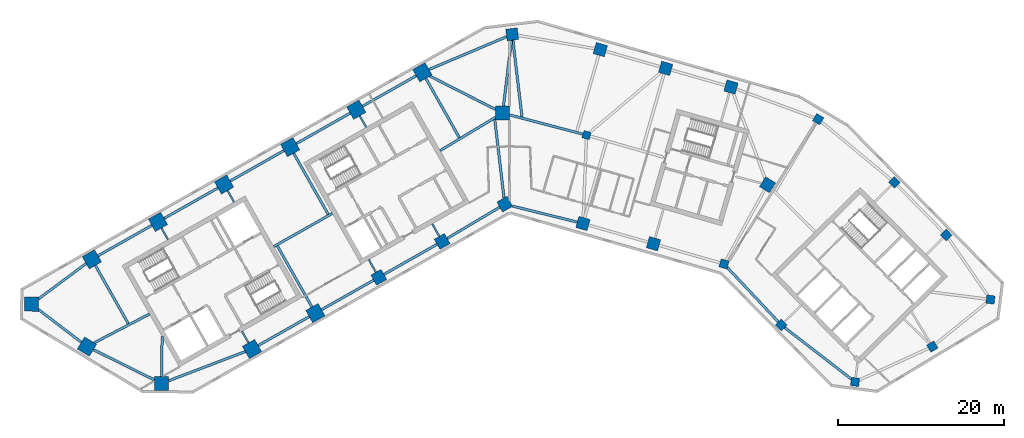
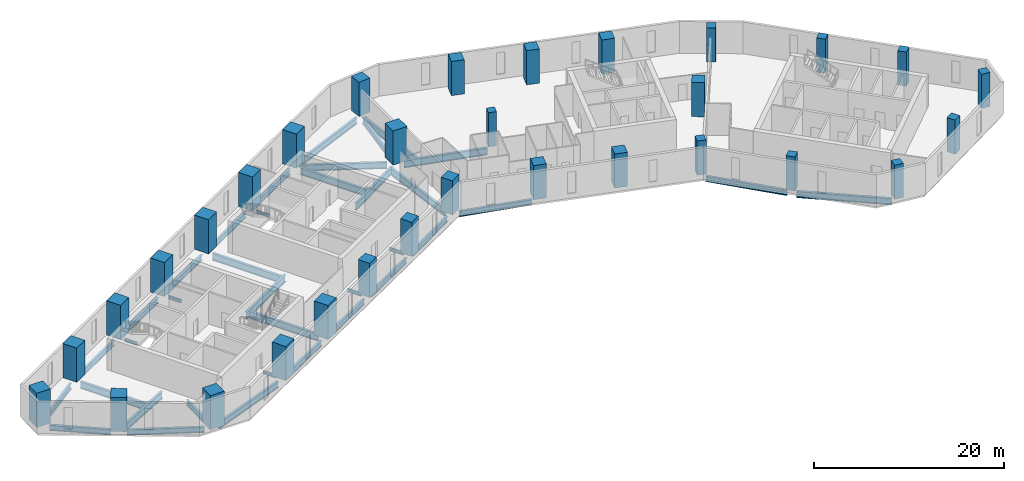
# One storey, part 1 of 10: 36 beams, 31 columns.
"""IFC4 building model written with IfcOpenShell, lengths in metres."""

from ifc_helpers import new_model, si_unit, direction, frame, origin, origin_2d, place, context, subcontext, project, spatial, rectangle, i_section, extrude, material, material_profile, profile_set, type_object, element, save


model = new_model("IFC4")

# Units and contexts
model_context = context("Model", 3, precision=1e-05, world=origin(), true_north=direction((0.0, 1.0)))
body_context = subcontext(model_context, "Body", "Model", "MODEL_VIEW")
ifc_project = project(units=[si_unit("LENGTHUNIT", "METRE"), si_unit("AREAUNIT", "SQUARE_METRE"), si_unit("VOLUMEUNIT", "CUBIC_METRE"), si_unit("PLANEANGLEUNIT", "RADIAN"), si_unit("MASSUNIT", "GRAM", prefix="KILO")], contexts=[model_context])

# Site, building, storey
site_placement = place(None, origin())
site = spatial("IfcSite", under=ifc_project, at=site_placement, CompositionType="ELEMENT")
building_placement = place(site_placement, origin())
building = spatial("IfcBuilding", under=site, at=building_placement, Name="Binnacle Exchange Tower", CompositionType="ELEMENT")
storey_placement = place(building_placement, frame((0.0, 0.0, 127.89990234375)))
storey = spatial("IfcBuildingStorey", under=building, at=storey_placement, Name="L26", CompositionType="ELEMENT", Elevation=127.89990234375)

# Columns
ifc_material_1 = material(Name="Concrete C60/75", Category="concrete")
ifc_material_profile_1 = material_profile(ifc_material_1, rectangle(XDim=0.89990234375, YDim=0.89990234375, at=origin_2d()), Name="Column 900x900 C60/75")
ifc_profile_set_1 = profile_set([ifc_material_profile_1], Name="Concrete C60/75")
column_type_1 = type_object("IfcColumnType", Name="Column 900x900 C60/75", PredefinedType="COLUMN", material=ifc_profile_set_1)
column_placement = place(storey_placement, frame((9.240966796875, 57.35009765625, 0.0), z_axis=(0.0, 0.0, 1.0), x_axis=(0.961261695938, -0.275637355817, 0.0)))
element("IfcColumn", 1, at=column_placement, inside=storey, type_object=column_type_1, Name="S:COL:C19:L26", PredefinedType="COLUMN", context=body_context, shape_type="SweptSolid", body=[
    extrude(rectangle(XDim=0.89990234375, YDim=0.89990234375, at=origin_2d()), origin(), (0.0, 0.0, 1.0), 4.400146484375),
])
ifc_material_2 = material(Name="Concrete C70/85", Category="concrete")
ifc_material_profile_2 = material_profile(ifc_material_2, rectangle(XDim=1.0, YDim=1.0, at=origin_2d()), Name="Mega column 1000x1000 C70/85")
ifc_profile_set_2 = profile_set([ifc_material_profile_2], Name="Concrete C70/85")
column_type_2 = type_object("IfcColumnType", Name="Mega column 1000x1000 C70/85", PredefinedType="COLUMN", material=ifc_profile_set_2)
for number, where, z_axis, x_axis, name in (
    (2, (37.0849609375, 59.262451171875, 0.0), (0.0, 0.0, 1.0), (-0.859406411501, 0.511293086077, 0.0), "S:COL:MC57:L26"),
    (3, (25.766845703125, 41.85986328125, 0.0), (0.0, 0.0, 1.0), (0.961261695938, -0.275637355817, 0.0), "S:COL:MC56:L26"),
    (4, (32.64111328125, 34.530029296875, 0.0), (0.0, 0.0, 1.0), (0.7009092643, -0.713250449154, 0.0), "S:COL:MC59:L26"),
    (5, (41.519775390625, 27.6748046875, 0.0), (0.0, 0.0, 1.0), (0.99200494968, -0.126198969136, 0.0), "S:COL:MC61:L26"),
    (6, (50.81201171875, 31.930908203125, 0.0), (0.0, 0.0, 1.0), (0.857167300702, 0.51503807491, 0.0), "S:COL:MC63:L26"),
    (7, (57.799072265625, 37.5810546875, 0.0), (0.0, 0.0, 1.0), (0.126198969136, 0.99200494968, 0.0), "S:COL:MC62:L26"),
    (8, (52.466796875, 45.33935546875, 0.0), (0.0, 0.0, 1.0), (-0.7009092643, 0.713250449154, 0.0), "S:COL:MC60:L26"),
    (9, (46.248291015625, 51.667236328125, 0.0), (0.0, 0.0, 1.0), (-0.7009092643, 0.713250449154, 0.0), "S:COL:MC58:L26"),
):
    element("IfcColumn", number, at=place(storey_placement, frame(where, z_axis=z_axis, x_axis=x_axis)), inside=storey, type_object=column_type_2, Name=name, PredefinedType="COLUMN", context=body_context, shape_type="SweptSolid", body=[
        extrude(rectangle(XDim=1.0, YDim=1.0, at=origin_2d()), origin(), (0.0, 0.0, 1.0), 4.400146484375),
    ])
ifc_material_profile_3 = material_profile(ifc_material_2, rectangle(XDim=1.39990234375, YDim=1.39990234375, at=origin_2d()), Name="Mega column 1400x1400 C70/85")
ifc_profile_set_3 = profile_set([ifc_material_profile_3], Name="Concrete C70/85")
column_type_3 = type_object("IfcColumnType", Name="Mega column 1400x1400 C70/85", PredefinedType="COLUMN", material=ifc_profile_set_3)
for number, where, z_axis, x_axis, name in (
    (10, (26.602783203125, 63.12353515625, 0.0), (0.0, 0.0, 1.0), (-0.961261695938, 0.275637355817, 0.0), "S:COL:MC52:L26"),
    (11, (18.746337890625, 65.376220703125, 0.0), (0.0, 0.0, 1.0), (-0.961261695938, 0.275637355817, 0.0), "S:COL:MC50:L26"),
    (12, (10.889892578125, 67.62890625, 0.0), (0.0, 0.0, 1.0), (-0.961261695938, 0.275637355817, 0.0), "S:COL:MC48:L26"),
    (13, (0.300048828125, 69.464111328125, 0.0), (0.0, 0.0, 1.0), (-0.993068456955, -0.117537397458, 0.0), "S:COL:MC47:L26"),
    (14, (-15.736328125, 40.257080078125, 0.0), (0.0, 0.0, 1.0), (0.87035569594, 0.492423560103, 0.0), "S:COL:MC24:L26"),
    (15, (-8.116943359375, 44.568115234375, 0.0), (0.0, 0.0, 1.0), (0.87035569594, 0.492423560103, 0.0), "S:COL:MC35:L26"),
    (16, (-0.5908203125, 49.04443359375, 0.0), (0.0, 0.0, 1.0), (0.87035569594, 0.492423560103, 0.0), "S:COL:MC46:L26"),
    (17, (8.8095703125, 46.722412109375, 0.0), (0.0, 0.0, 1.0), (0.961261695938, -0.275637355817, 0.0), "S:COL:MC49:L26"),
    (18, (17.2880859375, 44.291015625, 0.0), (0.0, 0.0, 1.0), (0.961261695938, -0.275637355817, 0.0), "S:COL:MC51:L26"),
    (19, (30.989501953125, 51.38623046875, 0.0), (0.0, 0.0, 1.0), (0.529919264233, 0.848048096156, 0.0), "S:COL:MC55:L26"),
):
    element("IfcColumn", number, at=place(storey_placement, frame(where, z_axis=z_axis, x_axis=x_axis)), inside=storey, type_object=column_type_3, Name=name, PredefinedType="COLUMN", context=body_context, shape_type="SweptSolid", body=[
        extrude(rectangle(XDim=1.39990234375, YDim=1.39990234375, at=origin_2d()), origin(), (0.0, 0.0, 1.0), 4.400146484375),
    ])
ifc_material_profile_4 = material_profile(ifc_material_2, rectangle(XDim=1.699951171875, YDim=1.699951171875, at=origin_2d()), Name="Mega column 1700x1700 C70/85")
ifc_profile_set_4 = profile_set([ifc_material_profile_4], Name="Concrete C70/85")
column_type_4 = type_object("IfcColumnType", Name="Mega column 1700x1700 C70/85", PredefinedType="COLUMN", material=ifc_profile_set_4)
for number, where, z_axis, x_axis, name in (
    (20, (-10.4951171875, 64.901611328125, 0.0), (0.0, 0.0, 1.0), (-0.87035569594, -0.492423560103, 0.0), "S:COL:MC38:L26"),
    (21, (-18.44140625, 60.406005859375, 0.0), (0.0, 0.0, 1.0), (-0.87035569594, -0.492423560103, 0.0), "S:COL:MC29:L26"),
    (22, (-26.3876953125, 55.91015625, 0.0), (0.0, 0.0, 1.0), (-0.87035569594, -0.492423560103, 0.0), "S:COL:MC21:L26"),
    (23, (-34.333740234375, 51.414306640625, 0.0), (0.0, 0.0, 1.0), (-0.87035569594, -0.492423560103, 0.0), "S:COL:MC13:L26"),
    (24, (-42.280029296875, 46.918701171875, 0.0), (0.0, 0.0, 1.0), (-0.87035569594, -0.492423560103, 0.0), "S:COL:MC08:L26"),
    (25, (-50.226318359375, 42.4228515625, 0.0), (0.0, 0.0, 1.0), (-0.87035569594, -0.492423560103, 0.0), "S:COL:MC04:L26"),
    (26, (-57.492919921875, 37.02734375, 0.0), (0.0, 0.0, 1.0), (-0.013089595571, -0.999914327574, 0.0), "S:COL:MC02:L26"),
    (27, (-50.81201171875, 31.930908203125, 0.0), (0.0, 0.0, 1.0), (0.857167300702, -0.51503807491, 0.0), "S:COL:MC01:L26"),
    (28, (-41.857666015625, 27.494873046875, 0.0), (0.0, 0.0, 1.0), (0.999914327574, -0.013089595571, 0.0), "S:COL:MC03:L26"),
    (29, (-30.9755859375, 31.63525390625, 0.0), (0.0, 0.0, 1.0), (0.87035569594, 0.492423560103, 0.0), "S:COL:MC07:L26"),
    (30, (-23.35595703125, 35.9462890625, 0.0), (0.0, 0.0, 1.0), (0.87035569594, 0.492423560103, 0.0), "S:COL:MC16:L26"),
    (31, (-0.85009765625, 60.0, 0.0), (0.0, 0.0, 1.0), (0.0, 1.0, 0.0), "S:COL:MC45:L26"),
):
    element("IfcColumn", number, at=place(storey_placement, frame(where, z_axis=z_axis, x_axis=x_axis)), inside=storey, type_object=column_type_4, Name=name, PredefinedType="COLUMN", context=body_context, shape_type="SweptSolid", body=[
        extrude(rectangle(XDim=1.699951171875, YDim=1.699951171875, at=origin_2d()), origin(), (0.0, 0.0, 1.0), 4.400146484375),
    ])

# Beams
ifc_material_3 = material(Name="Steel S355 (SHN355)", Category="steel")
ifc_material_profile_5 = material_profile(ifc_material_3, i_section(OverallWidth=0.300048828125, OverallDepth=0.699951171875, WebThickness=0.012939453125, FlangeThickness=0.02392578125, FilletRadius=0.028076171875, at=origin_2d()), Name="H 700x300x13x24")
ifc_profile_set_5 = profile_set([ifc_material_profile_5], Name="Steel S355 (SHN355)")
beam_type_1 = type_object("IfcBeamType", Name="Edge girder H 700x300x13x24 Steel S355 (SHN355)", PredefinedType="SPANDREL", material=ifc_profile_set_5)
beam_1_placement = place(storey_placement, frame((-56.6513671875, 36.38525390625, -0.669921875), z_axis=(0.795093040263, -0.606487474994, 0.0), x_axis=(0.606487474994, 0.795093040263, 0.0)))
element("IfcBeam", 32, at=beam_1_placement, inside=storey, type_object=beam_type_1, Name="S:BM:edge:L26:015", PredefinedType="SPANDREL", context=body_context, shape_type="SweptSolid", body=[
    extrude(i_section(OverallWidth=0.300048828125, OverallDepth=0.699951171875, WebThickness=0.012939453125, FlangeThickness=0.02392578125, FilletRadius=0.028076171875, at=origin_2d()), origin(), (0.0, 0.0, 1.0), 6.489013671875),
])
beam_2_placement = place(storey_placement, frame((-50.913818359375, 41.912353515625, -0.669921875), z_axis=(-0.80288535334, -0.59613346609, 0.0), x_axis=(0.59613346609, -0.80288535334, 0.0)))
element("IfcBeam", 33, at=beam_2_placement, inside=storey, type_object=beam_type_1, Name="S:BM:edge:L26:016", PredefinedType="SPANDREL", context=body_context, shape_type="SweptSolid", body=[
    extrude(i_section(OverallWidth=0.300048828125, OverallDepth=0.699951171875, WebThickness=0.012939453125, FlangeThickness=0.02392578125, FilletRadius=0.028076171875, at=origin_2d()), origin(), (0.0, 0.0, 1.0), 7.125244140625),
])
beam_3_placement = place(storey_placement, frame((-43.019775390625, 46.5, -0.669921875), z_axis=(-0.870364477798, -0.492408037898, 0.0), x_axis=(0.492408037898, -0.870364477798, 0.0)))
element("IfcBeam", 34, at=beam_3_placement, inside=storey, type_object=beam_type_1, Name="S:BM:edge:L26:018", PredefinedType="SPANDREL", context=body_context, shape_type="SweptSolid", body=[
    extrude(i_section(OverallWidth=0.300048828125, OverallDepth=0.699951171875, WebThickness=0.012939453125, FlangeThickness=0.02392578125, FilletRadius=0.028076171875, at=origin_2d()), origin(), (0.0, 0.0, 1.0), 7.4296875),
])
beam_4_placement = place(storey_placement, frame((-35.073486328125, 50.995849609375, -0.669921875), z_axis=(-0.870372444894, -0.492393955253, 0.0), x_axis=(0.492393955253, -0.870372444894, 0.0)))
element("IfcBeam", 35, at=beam_4_placement, inside=storey, type_object=beam_type_1, Name="S:BM:edge:L26:020", PredefinedType="SPANDREL", context=body_context, shape_type="SweptSolid", body=[
    extrude(i_section(OverallWidth=0.300048828125, OverallDepth=0.699951171875, WebThickness=0.012939453125, FlangeThickness=0.02392578125, FilletRadius=0.028076171875, at=origin_2d()), origin(), (0.0, 0.0, 1.0), 7.429931640625),
])
beam_5_placement = place(storey_placement, frame((-30.23583984375, 32.053955078125, -0.669921875), z_axis=(0.870373276953, 0.492392484473, 0.0), x_axis=(-0.492392484473, 0.870373276953, 0.0)))
element("IfcBeam", 36, at=beam_5_placement, inside=storey, type_object=beam_type_1, Name="S:BM:edge:L26:021", PredefinedType="SPANDREL", context=body_context, shape_type="SweptSolid", body=[
    extrude(i_section(OverallWidth=0.300048828125, OverallDepth=0.699951171875, WebThickness=0.012939453125, FlangeThickness=0.02392578125, FilletRadius=0.028076171875, at=origin_2d()), origin(), (0.0, 0.0, 1.0), 7.0546875),
])
beam_6_placement = place(storey_placement, frame((-27.12744140625, 55.49169921875, -0.669921875), z_axis=(-0.870350394687, -0.492432929919, 0.0), x_axis=(0.492432929919, -0.870350394687, 0.0)))
element("IfcBeam", 37, at=beam_6_placement, inside=storey, type_object=beam_type_1, Name="S:BM:edge:L26:022", PredefinedType="SPANDREL", context=body_context, shape_type="SweptSolid", body=[
    extrude(i_section(OverallWidth=0.300048828125, OverallDepth=0.699951171875, WebThickness=0.012939453125, FlangeThickness=0.02392578125, FilletRadius=0.028076171875, at=origin_2d()), origin(), (0.0, 0.0, 1.0), 7.429931640625),
])
beam_7_placement = place(storey_placement, frame((-22.6162109375, 36.36474609375, -0.669921875), z_axis=(0.870345646157, 0.492441322612, 0.0), x_axis=(-0.492441322612, 0.870345646157, 0.0)))
element("IfcBeam", 38, at=beam_7_placement, inside=storey, type_object=beam_type_1, Name="S:BM:edge:L26:023", PredefinedType="SPANDREL", context=body_context, shape_type="SweptSolid", body=[
    extrude(i_section(OverallWidth=0.300048828125, OverallDepth=0.699951171875, WebThickness=0.012939453125, FlangeThickness=0.02392578125, FilletRadius=0.028076171875, at=origin_2d()), origin(), (0.0, 0.0, 1.0), 7.20458984375),
])
beam_8_placement = place(storey_placement, frame((-19.18115234375, 59.9873046875, -0.669921875), z_axis=(-0.870364477798, -0.492408037898, 0.0), x_axis=(0.492408037898, -0.870364477798, 0.0)))
element("IfcBeam", 39, at=beam_8_placement, inside=storey, type_object=beam_type_1, Name="S:BM:edge:L26:024", PredefinedType="SPANDREL", context=body_context, shape_type="SweptSolid", body=[
    extrude(i_section(OverallWidth=0.300048828125, OverallDepth=0.699951171875, WebThickness=0.012939453125, FlangeThickness=0.02392578125, FilletRadius=0.028076171875, at=origin_2d()), origin(), (0.0, 0.0, 1.0), 7.4296875),
])
beam_9_placement = place(storey_placement, frame((-15.127197265625, 40.601806640625, -0.669921875), z_axis=(0.870355645737, 0.492423648837, 0.0), x_axis=(-0.492423648837, 0.870355645737, 0.0)))
element("IfcBeam", 40, at=beam_9_placement, inside=storey, type_object=beam_type_1, Name="S:BM:edge:L26:025", PredefinedType="SPANDREL", context=body_context, shape_type="SweptSolid", body=[
    extrude(i_section(OverallWidth=0.300048828125, OverallDepth=0.699951171875, WebThickness=0.012939453125, FlangeThickness=0.02392578125, FilletRadius=0.028076171875, at=origin_2d()), origin(), (0.0, 0.0, 1.0), 7.3544921875),
])
beam_10_placement = place(storey_placement, frame((-11.23486328125, 64.483154296875, -0.669921875), z_axis=(-0.870364477798, -0.492408037898, 0.0), x_axis=(0.492408037898, -0.870364477798, 0.0)))
element("IfcBeam", 41, at=beam_10_placement, inside=storey, type_object=beam_type_1, Name="S:BM:edge:L26:026", PredefinedType="SPANDREL", context=body_context, shape_type="SweptSolid", body=[
    extrude(i_section(OverallWidth=0.300048828125, OverallDepth=0.699951171875, WebThickness=0.012939453125, FlangeThickness=0.02392578125, FilletRadius=0.028076171875, at=origin_2d()), origin(), (0.0, 0.0, 1.0), 7.4296875),
])
beam_11_placement = place(storey_placement, frame((-7.51513671875, 44.926025390625, -0.669921875), z_axis=(0.859466137143, 0.511192682952, 0.0), x_axis=(-0.511192682952, 0.859466137143, 0.0)))
element("IfcBeam", 42, at=beam_11_placement, inside=storey, type_object=beam_type_1, Name="S:BM:edge:L26:027", PredefinedType="SPANDREL", context=body_context, shape_type="SweptSolid", body=[
    extrude(i_section(OverallWidth=0.300048828125, OverallDepth=0.699951171875, WebThickness=0.012939453125, FlangeThickness=0.02392578125, FilletRadius=0.028076171875, at=origin_2d()), origin(), (0.0, 0.0, 1.0), 7.356201171875),
])
beam_12_placement = place(storey_placement, frame((0.343994140625, 48.8134765625, -0.669921875), z_axis=(0.970820959584, -0.239805472064, 0.0), x_axis=(0.239805472064, 0.970820959584, 0.0)))
element("IfcBeam", 43, at=beam_12_placement, inside=storey, type_object=beam_type_1, Name="S:BM:edge:L26:029", PredefinedType="SPANDREL", context=body_context, shape_type="SweptSolid", body=[
    extrude(i_section(OverallWidth=0.300048828125, OverallDepth=0.699951171875, WebThickness=0.012939453125, FlangeThickness=0.02392578125, FilletRadius=0.028076171875, at=origin_2d()), origin(), (0.0, 0.0, 1.0), 8.019287109375),
])
ifc_material_profile_6 = material_profile(ifc_material_3, i_section(OverallWidth=0.302001953125, OverallDepth=0.7080078125, WebThickness=0.014892578125, FlangeThickness=0.028076171875, FilletRadius=0.028076171875, at=origin_2d()), Name="H 708x302x15x28")
ifc_profile_set_6 = profile_set([ifc_material_profile_6], Name="Steel S355 (SHN355)")
beam_type_2 = type_object("IfcBeamType", Name="Edge girder H 708x302x15x28 Steel S355 (SHN355)", PredefinedType="SPANDREL", material=ifc_profile_set_6)
beam_13_placement = place(storey_placement, frame((-50.0478515625, 31.55224609375, -0.673828125), z_axis=(0.896059216286, -0.443934545749, 0.0), x_axis=(0.443934545749, 0.896059216286, 0.0)))
element("IfcBeam", 44, at=beam_13_placement, inside=storey, type_object=beam_type_2, Name="S:BM:edge:L26:017", PredefinedType="SPANDREL", context=body_context, shape_type="SweptSolid", body=[
    extrude(i_section(OverallWidth=0.302001953125, OverallDepth=0.7080078125, WebThickness=0.014892578125, FlangeThickness=0.028076171875, FilletRadius=0.028076171875, at=origin_2d()), origin(), (0.0, 0.0, 1.0), 8.197509765625),
])
beam_14_placement = place(storey_placement, frame((26.165283203125, 41.43505859375, -0.673828125), z_axis=(0.684076068391, -0.729410674898, 0.0), x_axis=(0.729410674898, 0.684076068391, 0.0)))
element("IfcBeam", 45, at=beam_14_placement, inside=storey, type_object=beam_type_2, Name="S:BM:edge:L26:035", PredefinedType="SPANDREL", context=body_context, shape_type="SweptSolid", body=[
    extrude(i_section(OverallWidth=0.302001953125, OverallDepth=0.7080078125, WebThickness=0.014892578125, FlangeThickness=0.028076171875, FilletRadius=0.028076171875, at=origin_2d()), origin(), (0.0, 0.0, 1.0), 8.966552734375),
])
ifc_material_profile_7 = material_profile(ifc_material_3, i_section(OverallWidth=0.302001953125, OverallDepth=0.80810546875, WebThickness=0.01611328125, FlangeThickness=0.030029296875, FilletRadius=0.028076171875, at=origin_2d()), Name="H 808x302x16x30")
ifc_profile_set_7 = profile_set([ifc_material_profile_7], Name="Steel S355 (SHN355)")
beam_type_3 = type_object("IfcBeamType", Name="Edge girder H 808x302x16x30 Steel S355 (SHN355)", PredefinedType="SPANDREL", material=ifc_profile_set_7)
beam_15_placement = place(storey_placement, frame((-41.00341796875, 27.81982421875, -0.723876953125), z_axis=(0.934628738252, 0.355624973297, 0.0), x_axis=(-0.355624973297, 0.934628738252, 0.0)))
element("IfcBeam", 46, at=beam_15_placement, inside=storey, type_object=beam_type_3, Name="S:BM:edge:L26:019", PredefinedType="SPANDREL", context=body_context, shape_type="SweptSolid", body=[
    extrude(i_section(OverallWidth=0.302001953125, OverallDepth=0.80810546875, WebThickness=0.01611328125, FlangeThickness=0.030029296875, FilletRadius=0.028076171875, at=origin_2d()), origin(), (0.0, 0.0, 1.0), 9.869384765625),
])
beam_16_placement = place(storey_placement, frame((-0.37109375, 69.180419921875, -0.723876953125), z_axis=(-0.921114465748, -0.389291845523, 0.0), x_axis=(0.389291845523, -0.921114465748, 0.0)))
element("IfcBeam", 47, at=beam_16_placement, inside=storey, type_object=beam_type_3, Name="S:BM:edge:L26:028", PredefinedType="SPANDREL", context=body_context, shape_type="SweptSolid", body=[
    extrude(i_section(OverallWidth=0.302001953125, OverallDepth=0.80810546875, WebThickness=0.01611328125, FlangeThickness=0.030029296875, FilletRadius=0.028076171875, at=origin_2d()), origin(), (0.0, 0.0, 1.0), 10.13525390625),
])
beam_17_placement = place(storey_placement, frame((33.040771484375, 34.2216796875, -0.723876953125), z_axis=(0.791519159984, -0.611144352324, 0.0), x_axis=(0.611144352324, 0.791519159984, 0.0)))
element("IfcBeam", 48, at=beam_17_placement, inside=storey, type_object=beam_type_3, Name="S:BM:edge:L26:036", PredefinedType="SPANDREL", context=body_context, shape_type="SweptSolid", body=[
    extrude(i_section(OverallWidth=0.302001953125, OverallDepth=0.80810546875, WebThickness=0.01611328125, FlangeThickness=0.030029296875, FilletRadius=0.028076171875, at=origin_2d()), origin(), (0.0, 0.0, 1.0), 10.13232421875),
])
ifc_material_profile_8 = material_profile(ifc_material_3, i_section(OverallWidth=0.199951171875, OverallDepth=0.39990234375, WebThickness=0.008056640625, FlangeThickness=0.012939453125, FilletRadius=0.01611328125, at=origin_2d()), Name="H 400x200x8x13")
ifc_profile_set_8 = profile_set([ifc_material_profile_8], Name="Steel S355 (SHN355)")
beam_type_4 = type_object("IfcBeamType", Name="Floor beam H 400x200x8x13 Steel S355 (SHN355)", PredefinedType="BEAM", material=ifc_profile_set_8)
beam_18_placement = place(storey_placement, frame((-41.861328125, 46.178955078125, -0.52001953125), z_axis=(0.492366981934, -0.870387703901, 0.0), x_axis=(0.870387703901, 0.492366981934, 0.0)))
element("IfcBeam", 49, at=beam_18_placement, inside=storey, type_object=beam_type_4, Name="S:BM:cross:L26:044", PredefinedType="BEAM", context=body_context, shape_type="SweptSolid", body=[
    extrude(i_section(OverallWidth=0.199951171875, OverallDepth=0.39990234375, WebThickness=0.008056640625, FlangeThickness=0.012939453125, FilletRadius=0.01611328125, at=origin_2d()), origin(), (0.0, 0.0, 1.0), 1.584228515625),
])
beam_19_placement = place(storey_placement, frame((-33.915283203125, 50.674560546875, -0.52001953125), z_axis=(0.492483715062, -0.870321659158, 0.0), x_axis=(0.870321659158, 0.492483715062, 0.0)))
element("IfcBeam", 50, at=beam_19_placement, inside=storey, type_object=beam_type_4, Name="S:BM:cross:L26:046", PredefinedType="BEAM", context=body_context, shape_type="SweptSolid", body=[
    extrude(i_section(OverallWidth=0.199951171875, OverallDepth=0.39990234375, WebThickness=0.008056640625, FlangeThickness=0.012939453125, FilletRadius=0.01611328125, at=origin_2d()), origin(), (0.0, 0.0, 1.0), 1.58447265625),
])
for number, where, z_axis, x_axis, name in (
    (51, (-31.394287109375, 32.375, -0.52001953125), (-0.492366981934, 0.870387703901, 0.0), (-0.870387703901, -0.492366981934, 0.0), "S:BM:cross:L26:047"),
    (52, (-18.022705078125, 59.666259765625, -0.52001953125), (0.492366981934, -0.870387703901, 0.0), (0.870387703901, 0.492366981934, 0.0), "S:BM:cross:L26:050"),
):
    element("IfcBeam", number, at=place(storey_placement, frame(where, z_axis=z_axis, x_axis=x_axis)), inside=storey, type_object=beam_type_4, Name=name, PredefinedType="BEAM", context=body_context, shape_type="SweptSolid", body=[
        extrude(i_section(OverallWidth=0.199951171875, OverallDepth=0.39990234375, WebThickness=0.008056640625, FlangeThickness=0.012939453125, FilletRadius=0.01611328125, at=origin_2d()), origin(), (0.0, 0.0, 1.0), 1.584228515625),
    ])
for number, where, z_axis, x_axis, name in (
    (53, (-16.0810546875, 40.866455078125, -0.52001953125), (-0.492405102951, 0.870366138236, 0.0), (-0.870366138236, -0.492405102951, 0.0), "S:BM:cross:L26:051"),
    (54, (-8.461669921875, 45.17724609375, -0.52001953125), (-0.492405102951, 0.870366138236, 0.0), (-0.870366138236, -0.492405102951, 0.0), "S:BM:cross:L26:053"),
):
    element("IfcBeam", number, at=place(storey_placement, frame(where, z_axis=z_axis, x_axis=x_axis)), inside=storey, type_object=beam_type_4, Name=name, PredefinedType="BEAM", context=body_context, shape_type="SweptSolid", body=[
        extrude(i_section(OverallWidth=0.199951171875, OverallDepth=0.39990234375, WebThickness=0.008056640625, FlangeThickness=0.012939453125, FilletRadius=0.01611328125, at=origin_2d()), origin(), (0.0, 0.0, 1.0), 1.734375),
    ])
ifc_material_profile_9 = material_profile(ifc_material_3, i_section(OverallWidth=0.300048828125, OverallDepth=0.699951171875, WebThickness=0.012939453125, FlangeThickness=0.02392578125, FilletRadius=0.028076171875, at=origin_2d()), Name="H 700x300x13x24")
ifc_profile_set_9 = profile_set([ifc_material_profile_9], Name="Steel S355 (SHN355)")
beam_type_5 = type_object("IfcBeamType", Name="Floor beam H 700x300x13x24 Steel S355 (SHN355)", PredefinedType="BEAM", material=ifc_profile_set_9)
beam_20_placement = place(storey_placement, frame((-41.8466796875, 28.3447265625, -0.669921875), z_axis=(0.013120628196, 0.999913920853, 0.0), x_axis=(-0.999913920853, 0.013120628196, 0.0)))
element("IfcBeam", 55, at=beam_20_placement, inside=storey, type_object=beam_type_5, Name="S:BM:cross:L26:045", PredefinedType="BEAM", context=body_context, shape_type="SweptSolid", body=[
    extrude(i_section(OverallWidth=0.300048828125, OverallDepth=0.699951171875, WebThickness=0.012939453125, FlangeThickness=0.02392578125, FilletRadius=0.028076171875, at=origin_2d()), origin(), (0.0, 0.0, 1.0), 4.80078125),
])
ifc_material_profile_10 = material_profile(ifc_material_3, i_section(OverallWidth=0.300048828125, OverallDepth=0.89990234375, WebThickness=0.01611328125, FlangeThickness=0.028076171875, FilletRadius=0.028076171875, at=origin_2d()), Name="H 900x300x16x28")
ifc_profile_set_10 = profile_set([ifc_material_profile_10], Name="Steel S355 (SHN355)")
beam_type_6 = type_object("IfcBeamType", Name="Floor beam H 900x300x16x28 Steel S355 (SHN355)", PredefinedType="BEAM", material=ifc_profile_set_10)
beam_21_placement = place(storey_placement, frame((-49.8076171875, 41.68310546875, -0.77001953125), z_axis=(0.492423370769, -0.87035580306, 0.0), x_axis=(0.87035580306, 0.492423370769, 0.0)))
element("IfcBeam", 56, at=beam_21_placement, inside=storey, type_object=beam_type_6, Name="S:BM:cross:L26:043", PredefinedType="BEAM", context=body_context, shape_type="SweptSolid", body=[
    extrude(i_section(OverallWidth=0.300048828125, OverallDepth=0.89990234375, WebThickness=0.01611328125, FlangeThickness=0.028076171875, FilletRadius=0.028076171875, at=origin_2d()), origin(), (0.0, 0.0, 1.0), 8.041259765625),
])
beam_22_placement = place(storey_placement, frame((-10.076416015625, 64.161865234375, -0.77001953125), z_axis=(0.492410737926, -0.870362950254, 0.0), x_axis=(0.870362950254, 0.492410737926, 0.0)))
element("IfcBeam", 57, at=beam_22_placement, inside=storey, type_object=beam_type_6, Name="S:BM:cross:L26:052", PredefinedType="BEAM", context=body_context, shape_type="SweptSolid", body=[
    extrude(i_section(OverallWidth=0.300048828125, OverallDepth=0.89990234375, WebThickness=0.01611328125, FlangeThickness=0.028076171875, FilletRadius=0.028076171875, at=origin_2d()), origin(), (0.0, 0.0, 1.0), 8.16943359375),
])
ifc_material_profile_11 = material_profile(ifc_material_3, i_section(OverallWidth=0.302001953125, OverallDepth=0.912109375, WebThickness=0.01806640625, FlangeThickness=0.033935546875, FilletRadius=0.028076171875, at=origin_2d()), Name="H 912x302x18x34")
ifc_profile_set_11 = profile_set([ifc_material_profile_11], Name="Steel S355 (SHN355)")
beam_type_7 = type_object("IfcBeamType", Name="Floor beam H 912x302x18x34 Steel S355 (SHN355)", PredefinedType="BEAM", material=ifc_profile_set_11)
for number, where, z_axis, x_axis, name in (
    (58, (-25.968994140625, 55.17041015625, -0.77587890625), (0.492409177884, -0.870363832851, 0.0), (0.870363832851, 0.492409177884, 0.0), "S:BM:cross:L26:048"),
    (59, (-23.774658203125, 36.68603515625, -0.77587890625), (-0.492409177884, 0.870363832851, 0.0), (-0.870363832851, -0.492409177884, 0.0), "S:BM:cross:L26:049"),
):
    element("IfcBeam", number, at=place(storey_placement, frame(where, z_axis=z_axis, x_axis=x_axis)), inside=storey, type_object=beam_type_7, Name=name, PredefinedType="BEAM", context=body_context, shape_type="SweptSolid", body=[
        extrude(i_section(OverallWidth=0.302001953125, OverallDepth=0.912109375, WebThickness=0.01806640625, FlangeThickness=0.033935546875, FilletRadius=0.028076171875, at=origin_2d()), origin(), (0.0, 0.0, 1.0), 8.43408203125),
    ])
ifc_material_profile_12 = material_profile(ifc_material_3, i_section(OverallWidth=0.302978515625, OverallDepth=0.91796875, WebThickness=0.01904296875, FlangeThickness=0.037109375, FilletRadius=0.028076171875, at=origin_2d()), Name="H 918x303x19x37")
ifc_profile_set_12 = profile_set([ifc_material_profile_12], Name="Steel S355 (SHN355)")
beam_type_8 = type_object("IfcBeamType", Name="Floor beam H 918x303x19x37 Steel S355 (SHN355)", PredefinedType="BEAM", material=ifc_profile_set_12)
beam_23_placement = place(storey_placement, frame((-0.68017578125, 49.79833984375, -0.77880859375), z_axis=(-0.11752294526, 0.993070167379, 0.0), x_axis=(-0.993070167379, -0.11752294526, 0.0)))
element("IfcBeam", 60, at=beam_23_placement, inside=storey, type_object=beam_type_8, Name="S:BM:cross:L26:054", PredefinedType="BEAM", context=body_context, shape_type="SweptSolid", body=[
    extrude(i_section(OverallWidth=0.302978515625, OverallDepth=0.91796875, WebThickness=0.01904296875, FlangeThickness=0.037109375, FilletRadius=0.028076171875, at=origin_2d()), origin(), (0.0, 0.0, 1.0), 9.537353515625),
])
beam_24_placement = place(storey_placement, frame((0.38232421875, 68.76904296875, -0.77880859375), z_axis=(0.117557103339, -0.993066124412, 0.0), x_axis=(0.993066124412, 0.117557103339, 0.0)))
element("IfcBeam", 61, at=beam_24_placement, inside=storey, type_object=beam_type_8, Name="S:BM:cross:L26:055", PredefinedType="BEAM", context=body_context, shape_type="SweptSolid", body=[
    extrude(i_section(OverallWidth=0.302978515625, OverallDepth=0.91796875, WebThickness=0.01904296875, FlangeThickness=0.037109375, FilletRadius=0.028076171875, at=origin_2d()), origin(), (0.0, 0.0, 1.0), 9.2998046875),
])
ifc_material_profile_13 = material_profile(ifc_material_3, i_section(OverallWidth=0.302001953125, OverallDepth=0.7080078125, WebThickness=0.014892578125, FlangeThickness=0.028076171875, FilletRadius=0.028076171875, at=origin_2d()), Name="H 708x302x15x28")
ifc_profile_set_13 = profile_set([ifc_material_profile_13], Name="Steel S355 (SHN355)")
beam_type_9 = type_object("IfcBeamType", Name="Spine girder H 708x302x15x28 Steel S355 (SHN355)", PredefinedType="BEAM", material=ifc_profile_set_13)
beam_25_placement = place(storey_placement, frame((-0.74658203125, 60.85009765625, -0.673828125), z_axis=(0.120612669289, 0.992699644408, 0.0), x_axis=(-0.992699644408, 0.120612669289, 0.0)))
element("IfcBeam", 62, at=beam_25_placement, inside=storey, type_object=beam_type_9, Name="S:BM:spine:L26:005", PredefinedType="BEAM", context=body_context, shape_type="SweptSolid", body=[
    extrude(i_section(OverallWidth=0.302001953125, OverallDepth=0.7080078125, WebThickness=0.014892578125, FlangeThickness=0.028076171875, FilletRadius=0.028076171875, at=origin_2d()), origin(), (0.0, 0.0, 1.0), 7.95703125),
])
ifc_material_profile_14 = material_profile(ifc_material_3, i_section(OverallWidth=0.302001953125, OverallDepth=0.80810546875, WebThickness=0.01611328125, FlangeThickness=0.030029296875, FilletRadius=0.028076171875, at=origin_2d()), Name="H 808x302x16x30")
ifc_profile_set_14 = profile_set([ifc_material_profile_14], Name="Steel S355 (SHN355)")
beam_type_10 = type_object("IfcBeamType", Name="Spine girder H 808x302x16x30 Steel S355 (SHN355)", PredefinedType="BEAM", material=ifc_profile_set_14)
beam_26_placement = place(storey_placement, frame((-1.699951171875, 60.431884765625, -0.723876953125), z_axis=(-0.891471296315, 0.45307717648, 0.0), x_axis=(-0.45307717648, -0.891471296315, 0.0)))
element("IfcBeam", 63, at=beam_26_placement, inside=storey, type_object=beam_type_10, Name="S:BM:spine:L26:004", PredefinedType="BEAM", context=body_context, shape_type="SweptSolid", body=[
    extrude(i_section(OverallWidth=0.302001953125, OverallDepth=0.80810546875, WebThickness=0.01611328125, FlangeThickness=0.030029296875, FilletRadius=0.028076171875, at=origin_2d()), origin(), (0.0, 0.0, 1.0), 8.845703125),
])
ifc_material_profile_15 = material_profile(ifc_material_3, i_section(OverallWidth=0.300048828125, OverallDepth=0.89990234375, WebThickness=0.01611328125, FlangeThickness=0.028076171875, FilletRadius=0.028076171875, at=origin_2d()), Name="H 900x300x16x28")
ifc_profile_set_15 = profile_set([ifc_material_profile_15], Name="Steel S355 (SHN355)")
beam_type_11 = type_object("IfcBeamType", Name="Spine girder H 900x300x16x28 Steel S355 (SHN355)", PredefinedType="BEAM", material=ifc_profile_set_15)
beam_27_placement = place(storey_placement, frame((-49.927734375, 32.391357421875, -0.77001953125), z_axis=(0.886979965344, 0.461807904954, 0.0), x_axis=(-0.461807904954, 0.886979965344, 0.0)))
element("IfcBeam", 64, at=beam_27_placement, inside=storey, type_object=beam_type_11, Name="S:BM:spine:L26:001", PredefinedType="BEAM", context=body_context, shape_type="SweptSolid", body=[
    extrude(i_section(OverallWidth=0.300048828125, OverallDepth=0.89990234375, WebThickness=0.01611328125, FlangeThickness=0.028076171875, FilletRadius=0.028076171875, at=origin_2d()), origin(), (0.0, 0.0, 1.0), 7.463623046875),
])
beam_28_placement = place(storey_placement, frame((-8.36328125, 55.489990234375, -0.77001953125), z_axis=(0.857393122678, 0.514662057261, 0.0), x_axis=(-0.514662057261, 0.857393122678, 0.0)))
element("IfcBeam", 65, at=beam_28_placement, inside=storey, type_object=beam_type_11, Name="S:BM:spine:L26:003", PredefinedType="BEAM", context=body_context, shape_type="SweptSolid", body=[
    extrude(i_section(OverallWidth=0.300048828125, OverallDepth=0.89990234375, WebThickness=0.01611328125, FlangeThickness=0.028076171875, FilletRadius=0.028076171875, at=origin_2d()), origin(), (0.0, 0.0, 1.0), 7.771728515625),
])
ifc_material_profile_16 = material_profile(ifc_material_3, i_section(OverallWidth=0.302001953125, OverallDepth=0.912109375, WebThickness=0.01806640625, FlangeThickness=0.033935546875, FilletRadius=0.028076171875, at=origin_2d()), Name="H 912x302x18x34")
ifc_profile_set_16 = profile_set([ifc_material_profile_16], Name="Steel S355 (SHN355)")
beam_type_12 = type_object("IfcBeamType", Name="Spine girder H 912x302x18x34 Steel S355 (SHN355)", PredefinedType="BEAM", material=ifc_profile_set_16)
beam_29_placement = place(storey_placement, frame((-28.365478515625, 43.951416015625, -0.77587890625), z_axis=(0.870350319004, 0.492433063684, 0.0), x_axis=(-0.492433063684, 0.870350319004, 0.0)))
element("IfcBeam", 66, at=beam_29_placement, inside=storey, type_object=beam_type_12, Name="S:BM:spine:L26:002", PredefinedType="BEAM", context=body_context, shape_type="SweptSolid", body=[
    extrude(i_section(OverallWidth=0.302001953125, OverallDepth=0.912109375, WebThickness=0.01806640625, FlangeThickness=0.033935546875, FilletRadius=0.028076171875, at=origin_2d()), origin(), (0.0, 0.0, 1.0), 8.0908203125),
])
ifc_material_profile_17 = material_profile(ifc_material_3, i_section(OverallWidth=0.302978515625, OverallDepth=0.91796875, WebThickness=0.01904296875, FlangeThickness=0.037109375, FilletRadius=0.028076171875, at=origin_2d()), Name="H 918x303x19x37")
ifc_profile_set_17 = profile_set([ifc_material_profile_17], Name="Steel S355 (SHN355)")
beam_type_13 = type_object("IfcBeamType", Name="Spine girder H 918x303x19x37 Steel S355 (SHN355)", PredefinedType="BEAM", material=ifc_profile_set_17)
beam_30_placement = place(storey_placement, frame((0.0, 59.77685546875, -0.77880859375), z_axis=(0.967208488002, -0.253983741089, 0.0), x_axis=(0.253983741089, 0.967208488002, 0.0)))
element("IfcBeam", 67, at=beam_30_placement, inside=storey, type_object=beam_type_13, Name="S:BM:spine:L26:006", PredefinedType="BEAM", context=body_context, shape_type="SweptSolid", body=[
    extrude(i_section(OverallWidth=0.302978515625, OverallDepth=0.91796875, WebThickness=0.01904296875, FlangeThickness=0.037109375, FilletRadius=0.028076171875, at=origin_2d()), origin(), (0.0, 0.0, 1.0), 9.10400390625),
])

save(model, "model.ifc")
